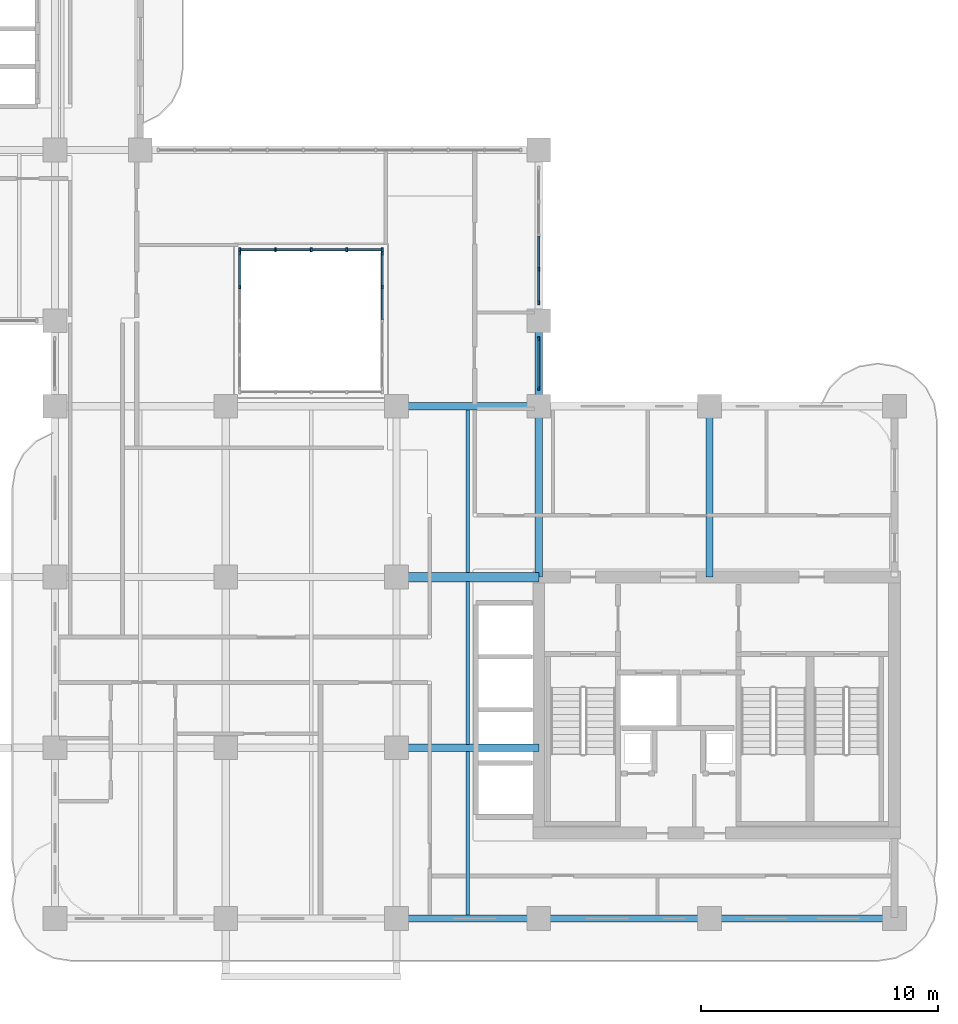
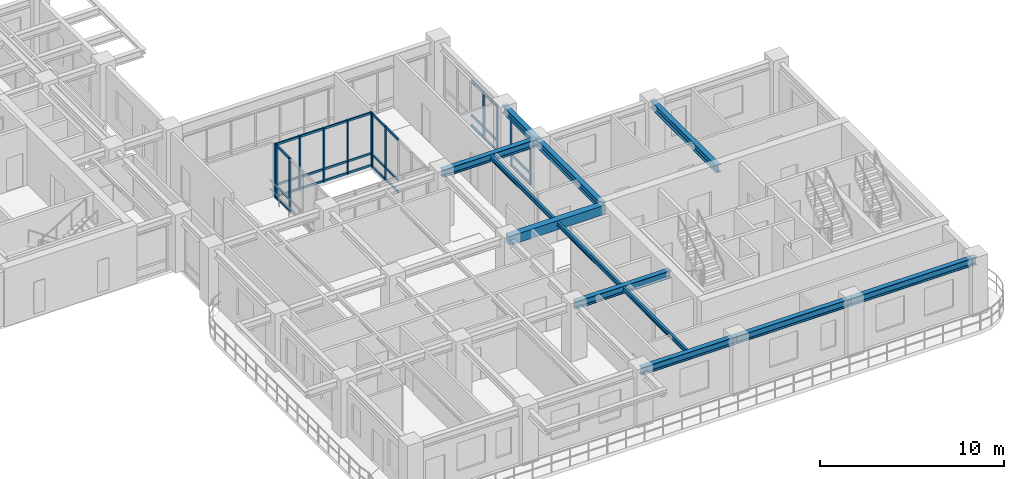
# One storey, part 3 of 19: 43 members, 12 beams, 5 elements without a shape of their own.
"""IFC4 building model written with IfcOpenShell, lengths in metres."""

import ifcopenshell
import ifcopenshell.guid

model = None  # the IFC model being written
_history = None  # IfcOwnerHistory: only IFC2X3 demands one
_inside = {}  # id of a spatial element -> (the spatial element, [elements in it])
_under = {}  # id of a project, library or spatial element -> (it, [spatial elements below it])
_declared = {}  # id of a project -> (the project, [libraries it declares])
_typed = {}  # id of a type object -> (the type object, [elements of that type])
_made_of = {}  # id of a material, layer set ... -> (it, [elements and type objects made of it])


def new_model(schema):
    """Start an empty IFC model of exactly this schema.

    Asked for "IFC4X3", IfcOpenShell would pick the latest addendum, in which some entities
    have other attributes; the version numbers below select the first issue.
    IFC2X3 requires an IfcOwnerHistory on every rooted entity: one is made here for all.
    """
    global model, _history
    if schema == "IFC4X3":
        model = ifcopenshell.file(schema_version=(4, 3, 0, 0))
    else:
        model = ifcopenshell.file(schema=schema)
    _inside.clear()
    _under.clear()
    _declared.clear()
    _typed.clear()
    _made_of.clear()
    _history = None
    if model.schema == "IFC2X3":
        org = make("IfcOrganization", Name="unknown")
        user = make(
            "IfcPersonAndOrganization",
            ThePerson=make("IfcPerson", FamilyName="unknown"),
            TheOrganization=org,
        )
        app = make(
            "IfcApplication",
            ApplicationDeveloper=org,
            Version="unknown",
            ApplicationFullName="unknown",
            ApplicationIdentifier="unknown",
        )
        _history = make(
            "IfcOwnerHistory",
            OwningUser=user,
            OwningApplication=app,
            ChangeAction="ADDED",
            CreationDate=0,
        )
    return model


def make(cls, **values):
    """One entity of the class cls with the attributes given. An attribute that is None is left unset."""
    return model.create_entity(
        cls, **{name: value for name, value in values.items() if value is not None}
    )


def rooted(cls, **values):
    """An entity with a GlobalId (a new one), such as an element, a storey or a relation."""
    return make(cls, GlobalId=ifcopenshell.guid.new(), OwnerHistory=_history, **values)


def si_unit(unit_type, name, prefix=None):
    """IfcSIUnit, for example si_unit("LENGTHUNIT", "METRE", prefix="MILLI")."""
    return make("IfcSIUnit", UnitType=unit_type, Prefix=prefix, Name=name)


def derived_unit(unit_type, elements):
    """IfcDerivedUnit: a product of units, each with its exponent."""
    return make(
        "IfcDerivedUnit",
        Elements=[
            make("IfcDerivedUnitElement", Unit=unit, Exponent=power)
            for unit, power in elements
        ],
        UnitType=unit_type,
    )


def assignment(units):
    """IfcUnitAssignment: the units of a project."""
    return None if units is None else make("IfcUnitAssignment", Units=units)


def point(xyz):
    """IfcCartesianPoint."""
    return None if xyz is None else make("IfcCartesianPoint", Coordinates=xyz)


def direction(xyz):
    """IfcDirection."""
    return None if xyz is None else make("IfcDirection", DirectionRatios=xyz)


def frame(location, z_axis=None, x_axis=None):
    """IfcAxis2Placement3D, a coordinate frame: its origin and axes. An axis left out is left unset."""
    return make(
        "IfcAxis2Placement3D",
        Location=point(location),
        Axis=direction(z_axis),
        RefDirection=direction(x_axis),
    )


def frame_2d(location, x_axis=None):
    """IfcAxis2Placement2D, a coordinate frame in the plane: its origin and x axis."""
    return make(
        "IfcAxis2Placement2D", Location=point(location), RefDirection=direction(x_axis)
    )


def origin():
    """The frame at (0, 0, 0) with its axes left unset."""
    return frame((0.0, 0.0, 0.0))


def origin_2d():
    """The frame at (0, 0) in the plane with its x axis left unset."""
    return frame_2d((0.0, 0.0))


def place(relative_to, where):
    """IfcLocalPlacement: puts the frame where relative to a parent placement (None: the world)."""
    return make(
        "IfcLocalPlacement", PlacementRelTo=relative_to, RelativePlacement=where
    )


def context(
    kind, dimensions, precision=None, world=None, true_north=None, identifier=None
):
    """IfcGeometricRepresentationContext, for example the 3D "Model" context."""
    return make(
        "IfcGeometricRepresentationContext",
        ContextIdentifier=identifier,
        ContextType=kind,
        CoordinateSpaceDimension=dimensions,
        Precision=precision,
        WorldCoordinateSystem=world,
        TrueNorth=true_north,
    )


def subcontext(parent, identifier, kind, view, scale=None):
    """IfcGeometricRepresentationSubContext, for example "Body" below "Model"."""
    return make(
        "IfcGeometricRepresentationSubContext",
        ContextIdentifier=identifier,
        ContextType=kind,
        ParentContext=parent,
        TargetScale=scale,
        TargetView=view,
    )


def project(units=None, contexts=None):
    """IfcProject with its units and contexts."""
    return rooted(
        "IfcProject",
        Name="project",
        RepresentationContexts=contexts,
        UnitsInContext=assignment(units),
    )


def spatial(cls, under=None, at=None, **own):
    """A site, building, storey or space (cls), placed at a placement, below another one or the project."""
    s = rooted(cls, ObjectPlacement=at, **own)
    if under is not None:
        _under.setdefault(under.id(), (under, []))[1].append(s)
    return s


def profile(cls, at=None, kind="AREA", **sizes):
    """A parametric profile (cls). Its sizes go by their IFC names, for example OverallWidth=200.0."""
    return make(cls, ProfileType=kind, Position=at, **sizes)


def rectangle(**sizes):
    """IfcRectangleProfileDef."""
    return profile("IfcRectangleProfileDef", **sizes)


def i_section(**sizes):
    """IfcIShapeProfileDef."""
    return profile("IfcIShapeProfileDef", **sizes)


def extrude(swept, where, along, depth):
    """IfcExtrudedAreaSolid: the profile swept, set in the frame where, extruded along a direction by depth."""
    return make(
        "IfcExtrudedAreaSolid",
        SweptArea=swept,
        Position=where,
        ExtrudedDirection=direction(along),
        Depth=depth,
    )


def shape(context_of_items, identifier, shape_type, items):
    """IfcShapeRepresentation: the items that make up one representation, for example the "Body"."""
    return make(
        "IfcShapeRepresentation",
        ContextOfItems=context_of_items,
        RepresentationIdentifier=identifier,
        RepresentationType=shape_type,
        Items=items,
    )


def source(mapping_origin, context_of_items, identifier, shape_type, items):
    """IfcRepresentationMap: a shape defined once, which mapped items show again and again."""
    return make(
        "IfcRepresentationMap",
        MappingOrigin=mapping_origin,
        MappedRepresentation=shape(context_of_items, identifier, shape_type, items),
    )


def transform(
    local_origin,
    x_axis=None,
    y_axis=None,
    z_axis=None,
    scale=None,
    scale2=None,
    scale3=None,
    uniform=True,
):
    """IfcCartesianTransformationOperator3D, or its non-uniform kind. x_axis, y_axis, z_axis: its Axis1, 2, 3."""
    if uniform:
        return make(
            "IfcCartesianTransformationOperator3D",
            Axis1=direction(x_axis),
            Axis2=direction(y_axis),
            LocalOrigin=point(local_origin),
            Scale=scale,
            Axis3=direction(z_axis),
        )
    return make(
        "IfcCartesianTransformationOperator3DnonUniform",
        Axis1=direction(x_axis),
        Axis2=direction(y_axis),
        LocalOrigin=point(local_origin),
        Scale=scale,
        Axis3=direction(z_axis),
        Scale2=scale2,
        Scale3=scale3,
    )


def mapped(mapping_source, mapping_target):
    """IfcMappedItem: shows the shape of a source again, moved by a transform."""
    return make(
        "IfcMappedItem", MappingSource=mapping_source, MappingTarget=mapping_target
    )


def material(Name=None, Category=None):
    """IfcMaterial."""
    return make("IfcMaterial", Name=Name, Category=Category)


def layer(
    of_material, thickness, ventilated=None, Name=None, Category=None, Priority=None
):
    """IfcMaterialLayer: one layer of a wall or slab, of a material (None: an air gap)."""
    return make(
        "IfcMaterialLayer",
        Material=of_material,
        LayerThickness=thickness,
        IsVentilated=ventilated,
        Name=Name,
        Category=Category,
        Priority=Priority,
    )


def layer_set(layers, Name=None):
    """IfcMaterialLayerSet."""
    return make("IfcMaterialLayerSet", MaterialLayers=layers, LayerSetName=Name)


def material_profile(
    of_material, cross_section, Name=None, Category=None, Priority=None
):
    """IfcMaterialProfile: a cross section and its material."""
    return make(
        "IfcMaterialProfile",
        Name=Name,
        Material=of_material,
        Profile=cross_section,
        Priority=Priority,
        Category=Category,
    )


def profile_set(profiles, Name=None, composite=None):
    """IfcMaterialProfileSet."""
    return make(
        "IfcMaterialProfileSet",
        Name=Name,
        MaterialProfiles=profiles,
        CompositeProfile=composite,
    )


def made_of(thing, what):
    """Note that an element or type object is made of a material, layer set ...; save() writes the relation."""
    if what is not None:
        _made_of.setdefault(what.id(), (what, []))[1].append(thing)
    return thing


def type_object(cls, material=None, **own):
    """A type object (cls), such as IfcWallType, which elements share."""
    return made_of(rooted(cls, **own), material)


def type_shapes(of_type, sources):
    """Give a type object the sources (RepresentationMaps) that its elements show as mapped items."""
    of_type.RepresentationMaps = sources


def element(
    cls,
    number,
    at=None,
    inside=None,
    cuts=None,
    type_object=None,
    material=None,
    context=None,
    identifier="Body",
    shape_type=None,
    held_by="IfcProductDefinitionShape",
    body=None,
    shapes=None,
    **own,
):
    """One element of the class cls, such as IfcWall. Its Tag is "e" and its number.

    at: its placement. inside: the storey or other place that contains it. cuts: it is an
    opening in that element (IfcRelVoidsElement). A single representation is given by context,
    identifier, shape_type and body (its items); several are given by shapes. held_by: the class
    of the entity that holds the representations. save() writes the other relations.
    """
    e = rooted(cls, Tag="e%d" % number, ObjectPlacement=at, **own)
    if body is not None:
        shapes = [shape(context, identifier, shape_type, body)]
    if shapes is not None:
        e.Representation = make(held_by, Representations=shapes)
    if inside is not None:
        _inside.setdefault(inside.id(), (inside, []))[1].append(e)
    if cuts is not None:
        rooted(
            "IfcRelVoidsElement", RelatingBuildingElement=cuts, RelatedOpeningElement=e
        )
    if type_object is not None:
        _typed.setdefault(type_object.id(), (type_object, []))[1].append(e)
    return made_of(e, material)


def aggregate(whole, parts):
    """IfcRelAggregates: a whole, such as a stair, and the parts it consists of."""
    return rooted("IfcRelAggregates", RelatingObject=whole, RelatedObjects=parts)


def save(model, path):
    """Write the relations noted so far, then the file.

    IfcRelAggregates (storeys below a building ...), IfcRelContainedInSpatialStructure (elements
    in a storey), IfcRelDefinesByType, IfcRelAssociatesMaterial and IfcRelDeclares: one each for
    every whole, place, type object, material and project.
    """
    for whole, parts in _under.values():
        aggregate(whole, parts)
    for where, things in _inside.values():
        rooted(
            "IfcRelContainedInSpatialStructure",
            RelatedElements=things,
            RelatingStructure=where,
        )
    for kind, things in _typed.values():
        rooted("IfcRelDefinesByType", RelatedObjects=things, RelatingType=kind)
    for what, things in _made_of.values():
        rooted("IfcRelAssociatesMaterial", RelatedObjects=things, RelatingMaterial=what)
    for by, libraries in _declared.values():
        rooted("IfcRelDeclares", RelatingContext=by, RelatedDefinitions=libraries)
    model.write(path)


model = new_model("IFC4")

# Units and contexts
model_context = context("Model", 3, precision=1e-05, world=origin(), true_north=direction((0.0, 1.0)))
body_context = subcontext(model_context, "Body", "Model", "MODEL_VIEW")
ifc_project = project(units=[si_unit("LENGTHUNIT", "METRE"), si_unit("AREAUNIT", "SQUARE_METRE"), si_unit("VOLUMEUNIT", "CUBIC_METRE"), si_unit("PLANEANGLEUNIT", "RADIAN"), si_unit("MASSUNIT", "GRAM", prefix="KILO"), si_unit("THERMODYNAMICTEMPERATUREUNIT", "KELVIN"), si_unit("POWERUNIT", "WATT"), derived_unit("THERMALTRANSMITTANCEUNIT", [(si_unit("POWERUNIT", "WATT"), 1), (si_unit("AREAUNIT", "SQUARE_METRE"), -1), (si_unit("THERMODYNAMICTEMPERATUREUNIT", "KELVIN"), -1)])], contexts=[model_context])

# Site, building, storey
site_placement = place(None, origin())
site = spatial("IfcSite", under=ifc_project, at=site_placement, CompositionType="ELEMENT")
building_placement = place(site_placement, origin())
building = spatial("IfcBuilding", under=site, at=building_placement, Name="Zahravan Archway Hotel and Residences", CompositionType="ELEMENT")
storey_placement = place(building_placement, frame((0.0, 0.0, 150.300048828125)))
storey = spatial("IfcBuildingStorey", under=building, at=storey_placement, Name="L37", CompositionType="ELEMENT", Elevation=150.300048828125)

# Beams
ifc_material_1 = material(Name="Concrete C60/75", Category="concrete")
ifc_material_profile_1 = material_profile(ifc_material_1, rectangle(XDim=0.39990234375, YDim=0.60009765625, at=origin_2d()), Name="RC-LNT-400x600", Category="concrete")
ifc_profile_set_1 = profile_set([ifc_material_profile_1], Name="Concrete C60/75")
beam_type_1 = type_object("IfcBeamType", Name="LNT-RC-400x600", PredefinedType="LINTEL", material=ifc_profile_set_1)
shared_shape_1 = source(origin(), body_context, "Body", "SweptSolid", [
    extrude(rectangle(XDim=0.39990234375, YDim=0.60009765625, at=origin_2d()), origin(), (0.0, 0.0, 1.0), 6.0),
])
type_shapes(beam_type_1, [shared_shape_1])
beam_1_placement = place(storey_placement, frame((28.800048828125, 14.39990234375, 3.300048828125), z_axis=(1.0, 0.0, 0.0), x_axis=(0.0, 1.0, 0.0)))
element("IfcBeam", 1, at=beam_1_placement, inside=storey, type_object=beam_type_1, Name="L37 Core A Coupling Lintel Beam", PredefinedType="LINTEL", context=body_context, shape_type="MappedRepresentation", body=[
    mapped(shared_shape_1, transform((0.0, 0.0, 0.0), scale=1.0)),
])
ifc_material_2 = material(Name="Structural Steel S355JR", Category="steel")
ifc_material_profile_2 = material_profile(ifc_material_2, i_section(OverallWidth=0.300048828125, OverallDepth=0.5, WebThickness=0.014404296875, FlangeThickness=0.028076171875, FilletRadius=0.027099609375, at=origin_2d()), Name="HEB 500", Category="steel")
ifc_profile_set_2 = profile_set([ifc_material_profile_2], Name="Structural Steel S355JR")
beam_type_2 = type_object("IfcBeamType", Name="BM-PRI-HEB500", PredefinedType="BEAM", material=ifc_profile_set_2)
shared_shape_2 = source(origin(), body_context, "Body", "SweptSolid", [
    extrude(i_section(OverallWidth=0.300048828125, OverallDepth=0.5, WebThickness=0.014404296875, FlangeThickness=0.028076171875, FilletRadius=0.027099609375, at=origin_2d()), origin(), (0.0, 0.0, 1.0), 7.2001953125),
])
type_shapes(beam_type_2, [shared_shape_2])
for number, where, z_axis, x_axis, name in (
    (2, (34.800048828125, 14.39990234375, 3.349853515625), (0.0, 1.0, 0.0), (-1.0, 0.0, 0.0), "L37 Primary Girder NS-41"),
    (3, (42.0, 14.39990234375, 3.349853515625), (0.0, 1.0, 0.0), (-1.0, 0.0, 0.0), "L37 Primary Girder NS-44"),
):
    element("IfcBeam", number, at=place(storey_placement, frame(where, z_axis=z_axis, x_axis=x_axis)), inside=storey, type_object=beam_type_2, Name=name, PredefinedType="BEAM", context=body_context, shape_type="MappedRepresentation", body=[
        mapped(shared_shape_2, transform((0.0, 0.0, 0.0), scale=1.0)),
    ])
shared_shape_3 = source(origin(), body_context, "Body", "SweptSolid", [
    extrude(i_section(OverallWidth=0.300048828125, OverallDepth=0.5, WebThickness=0.014404296875, FlangeThickness=0.028076171875, FilletRadius=0.027099609375, at=origin_2d()), origin(), (0.0, 0.0, 1.0), 7.199951171875),
])
beam_2_placement = place(storey_placement, frame((34.800048828125, 0.0, 3.349853515625), z_axis=(1.0, 0.0, 0.0), x_axis=(0.0, 1.0, 0.0)))
element("IfcBeam", 4, at=beam_2_placement, inside=storey, type_object=beam_type_2, Name="L37 Primary Girder EW-04", PredefinedType="BEAM", context=body_context, shape_type="MappedRepresentation", body=[
    mapped(shared_shape_3, transform((0.0, 0.0, 0.0), scale=1.0)),
])
shared_shape_4 = source(origin(), body_context, "Body", "SweptSolid", [
    extrude(i_section(OverallWidth=0.300048828125, OverallDepth=0.5, WebThickness=0.014404296875, FlangeThickness=0.028076171875, FilletRadius=0.027099609375, at=origin_2d()), origin(), (0.0, 0.0, 1.0), 6.0),
])
for number, where, z_axis, x_axis, name in (
    (5, (28.800048828125, 0.0, 3.349853515625), (1.0, 0.0, 0.0), (0.0, 1.0, 0.0), "L37 Primary Girder EW-03"),
    (6, (28.800048828125, 7.199951171875, 3.349853515625), (1.0, 0.0, 0.0), (0.0, 1.0, 0.0), "L37 Primary Girder EW-08"),
    (7, (28.800048828125, 21.60009765625, 3.349853515625), (1.0, 0.0, 0.0), (0.0, 1.0, 0.0), "L37 Primary Girder EW-13"),
):
    element("IfcBeam", number, at=place(storey_placement, frame(where, z_axis=z_axis, x_axis=x_axis)), inside=storey, type_object=beam_type_2, Name=name, PredefinedType="BEAM", context=body_context, shape_type="MappedRepresentation", body=[
        mapped(shared_shape_4, transform((0.0, 0.0, 0.0), scale=1.0)),
    ])
shared_shape_5 = source(origin(), body_context, "Body", "SweptSolid", [
    extrude(i_section(OverallWidth=0.300048828125, OverallDepth=0.5, WebThickness=0.014404296875, FlangeThickness=0.028076171875, FilletRadius=0.027099609375, at=origin_2d()), origin(), (0.0, 0.0, 1.0), 7.800048828125),
])
beam_3_placement = place(storey_placement, frame((42.0, 0.0, 3.349853515625), z_axis=(1.0, 0.0, 0.0), x_axis=(0.0, 1.0, 0.0)))
element("IfcBeam", 8, at=beam_3_placement, inside=storey, type_object=beam_type_2, Name="L37 Primary Girder EW-05", PredefinedType="BEAM", context=body_context, shape_type="MappedRepresentation", body=[
    mapped(shared_shape_5, transform((0.0, 0.0, 0.0), scale=1.0)),
])
shared_shape_6 = source(origin(), body_context, "Body", "SweptSolid", [
    extrude(i_section(OverallWidth=0.300048828125, OverallDepth=0.5, WebThickness=0.014404296875, FlangeThickness=0.028076171875, FilletRadius=0.027099609375, at=origin_2d()), origin(), (0.0, 0.0, 1.0), 3.599853515625),
])
beam_4_placement = place(storey_placement, frame((34.800048828125, 21.60009765625, 3.349853515625), z_axis=(0.0, 1.0, 0.0), x_axis=(-1.0, 0.0, 0.0)))
element("IfcBeam", 9, at=beam_4_placement, inside=storey, type_object=beam_type_2, Name="L37 Primary Girder NS-42", PredefinedType="BEAM", context=body_context, shape_type="MappedRepresentation", body=[
    mapped(shared_shape_6, transform((0.0, 0.0, 0.0), scale=1.0)),
])
ifc_material_profile_3 = material_profile(ifc_material_2, i_section(OverallWidth=0.14990234375, OverallDepth=0.300048828125, WebThickness=0.007080078125, FlangeThickness=0.0107421875, FilletRadius=0.014892578125, at=origin_2d()), Name="IPE 300", Category="steel")
ifc_profile_set_3 = profile_set([ifc_material_profile_3], Name="Structural Steel S355JR")
beam_type_3 = type_object("IfcBeamType", Name="BM-JST-IPE300", PredefinedType="JOIST", material=ifc_profile_set_3)
shared_shape_7 = source(origin(), body_context, "Body", "SweptSolid", [
    extrude(i_section(OverallWidth=0.14990234375, OverallDepth=0.300048828125, WebThickness=0.007080078125, FlangeThickness=0.0107421875, FilletRadius=0.014892578125, at=origin_2d()), origin(), (0.0, 0.0, 1.0), 6.904052734375),
])
type_shapes(beam_type_3, [shared_shape_7])
beam_5_placement = place(storey_placement, frame((31.800048828125, 0.14794921875, 3.449951171875), z_axis=(0.0, 1.0, 0.0), x_axis=(-1.0, 0.0, 0.0)))
element("IfcBeam", 10, at=beam_5_placement, inside=storey, type_object=beam_type_3, Name="L37 Composite Floor Joist 03", PredefinedType="JOIST", context=body_context, shape_type="MappedRepresentation", body=[
    mapped(shared_shape_7, transform((0.0, 0.0, 0.0), scale=1.0)),
])
shared_shape_8 = source(origin(), body_context, "Body", "SweptSolid", [
    extrude(i_section(OverallWidth=0.14990234375, OverallDepth=0.300048828125, WebThickness=0.007080078125, FlangeThickness=0.0107421875, FilletRadius=0.014892578125, at=origin_2d()), origin(), (0.0, 0.0, 1.0), 6.85400390625),
])
for number, where, z_axis, x_axis, name in (
    (11, (31.800048828125, 7.347900390625, 3.449951171875), (0.0, 1.0, 0.0), (-1.0, 0.0, 0.0), "L37 Composite Floor Joist 06"),
    (12, (31.800048828125, 14.597900390625, 3.449951171875), (0.0, 1.0, 0.0), (-1.0, 0.0, 0.0), "L37 Composite Floor Joist 07"),
):
    element("IfcBeam", number, at=place(storey_placement, frame(where, z_axis=z_axis, x_axis=x_axis)), inside=storey, type_object=beam_type_3, Name=name, PredefinedType="JOIST", context=body_context, shape_type="MappedRepresentation", body=[
        mapped(shared_shape_8, transform((0.0, 0.0, 0.0), scale=1.0)),
    ])

# Curtain wall, members
ifc_material_3 = material(Name="Bronze-Anodized Unitised Aluminium & Low-E Glass", Category="aluminium")
ifc_layer = layer(ifc_material_3, 0.179931640625, Name="Bronze-Anodized Unitised Aluminium & Low-E Glass", Category="aluminium")
ifc_layer_set = layer_set([ifc_layer], Name="Bronze-Anodized Unitised Aluminium & Low-E Glass")
curtain_wall_type = type_object("IfcCurtainWallType", Name="CW-ATR-GLAZ", PredefinedType="NOTDEFINED", material=ifc_layer_set)
curtain_wall_1_placement = place(storey_placement, origin())
curtain_wall_1 = element("IfcCurtainWall", 13, at=curtain_wall_1_placement, inside=storey, type_object=curtain_wall_type, Name="L37 Curtain Wall CW-L37-HNG-E-2", PredefinedType="NOTDEFINED")
ifc_material_4 = material(Name="Bronze-Anodized Extruded Aluminium", Category="aluminium")
ifc_material_profile_4 = material_profile(ifc_material_4, rectangle(XDim=0.080078125, YDim=0.139892578125, at=origin_2d()), Name="TRN 80x140", Category="aluminium")
ifc_profile_set_4 = profile_set([ifc_material_profile_4], Name="Bronze-Anodized Extruded Aluminium")
member_type_1 = type_object("IfcMemberType", Name="CWM-TRN-140", PredefinedType="USERDEFINED", material=ifc_profile_set_4)
shared_shape_9 = source(origin(), body_context, "Body", "SweptSolid", [
    extrude(rectangle(XDim=0.080078125, YDim=0.139892578125, at=origin_2d()), origin(), (0.0, 0.0, 1.0), 1.340087890625),
])
member_1_placement = place(storey_placement, frame((34.800048828125, 26.0, 0.070068359375), z_axis=(0.0, 1.0, 0.0), x_axis=(-1.0, 0.0, 0.0)))
member_1 = element("IfcMember", 14, at=member_1_placement, type_object=member_type_1, Name="CW-L37-HNG-E-2 Transom 0-1", ObjectType="TRANSOM", PredefinedType="USERDEFINED", context=body_context, shape_type="MappedRepresentation", body=[
    mapped(shared_shape_9, transform((0.0, 0.0, 0.0), scale=1.0)),
])
member_2_placement = place(storey_placement, frame((34.800048828125, 26.0, 0.740234375), z_axis=(0.0, 1.0, 0.0), x_axis=(-1.0, 0.0, 0.0)))
member_2 = element("IfcMember", 15, at=member_2_placement, type_object=member_type_1, Name="CW-L37-HNG-E-2 Transom 0-2", ObjectType="TRANSOM", PredefinedType="USERDEFINED", context=body_context, shape_type="MappedRepresentation", body=[
    mapped(shared_shape_9, transform((0.0, 0.0, 0.0), scale=1.0)),
])
member_3_placement = place(storey_placement, frame((34.800048828125, 26.0, 3.014892578125), z_axis=(0.0, 1.0, 0.0), x_axis=(-1.0, 0.0, 0.0)))
member_3 = element("IfcMember", 16, at=member_3_placement, type_object=member_type_1, Name="CW-L37-HNG-E-2 Transom 0-3", ObjectType="TRANSOM", PredefinedType="USERDEFINED", context=body_context, shape_type="MappedRepresentation", body=[
    mapped(shared_shape_9, transform((0.0, 0.0, 0.0), scale=1.0)),
])
member_4_placement = place(storey_placement, frame((34.800048828125, 27.419921875, 0.070068359375), z_axis=(0.0, 1.0, 0.0), x_axis=(-1.0, 0.0, 0.0)))
member_4 = element("IfcMember", 17, at=member_4_placement, type_object=member_type_1, Name="CW-L37-HNG-E-2 Transom 1-1", ObjectType="TRANSOM", PredefinedType="USERDEFINED", context=body_context, shape_type="MappedRepresentation", body=[
    mapped(shared_shape_9, transform((0.0, 0.0, 0.0), scale=1.0)),
])
member_5_placement = place(storey_placement, frame((34.800048828125, 27.419921875, 0.740234375), z_axis=(0.0, 1.0, 0.0), x_axis=(-1.0, 0.0, 0.0)))
member_5 = element("IfcMember", 18, at=member_5_placement, type_object=member_type_1, Name="CW-L37-HNG-E-2 Transom 1-2", ObjectType="TRANSOM", PredefinedType="USERDEFINED", context=body_context, shape_type="MappedRepresentation", body=[
    mapped(shared_shape_9, transform((0.0, 0.0, 0.0), scale=1.0)),
])
member_6_placement = place(storey_placement, frame((34.800048828125, 27.419921875, 3.014892578125), z_axis=(0.0, 1.0, 0.0), x_axis=(-1.0, 0.0, 0.0)))
member_6 = element("IfcMember", 19, at=member_6_placement, type_object=member_type_1, Name="CW-L37-HNG-E-2 Transom 1-3", ObjectType="TRANSOM", PredefinedType="USERDEFINED", context=body_context, shape_type="MappedRepresentation", body=[
    mapped(shared_shape_9, transform((0.0, 0.0, 0.0), scale=1.0)),
])

curtain_wall_2_placement = place(storey_placement, origin())
curtain_wall_2 = element("IfcCurtainWall", 20, at=curtain_wall_2_placement, inside=storey, type_object=curtain_wall_type, Name="L37 Curtain Wall CW-L37-HNG-E-1", PredefinedType="NOTDEFINED")
shared_shape_10 = source(origin(), body_context, "Body", "SweptSolid", [
    extrude(rectangle(XDim=0.080078125, YDim=0.139892578125, at=origin_2d()), origin(), (0.0, 0.0, 1.0), 2.0),
])
member_7_placement = place(storey_placement, frame((34.800048828125, 22.39990234375, 0.070068359375), z_axis=(0.0, 1.0, 0.0), x_axis=(-1.0, 0.0, 0.0)))
member_7 = element("IfcMember", 21, at=member_7_placement, type_object=member_type_1, Name="CW-L37-HNG-E-1 Transom 0-1", ObjectType="TRANSOM", PredefinedType="USERDEFINED", context=body_context, shape_type="MappedRepresentation", body=[
    mapped(shared_shape_10, transform((0.0, 0.0, 0.0), scale=1.0)),
])
member_8_placement = place(storey_placement, frame((34.800048828125, 22.39990234375, 0.740234375), z_axis=(0.0, 1.0, 0.0), x_axis=(-1.0, 0.0, 0.0)))
member_8 = element("IfcMember", 22, at=member_8_placement, type_object=member_type_1, Name="CW-L37-HNG-E-1 Transom 0-2", ObjectType="TRANSOM", PredefinedType="USERDEFINED", context=body_context, shape_type="MappedRepresentation", body=[
    mapped(shared_shape_10, transform((0.0, 0.0, 0.0), scale=1.0)),
])
member_9_placement = place(storey_placement, frame((34.800048828125, 22.39990234375, 3.014892578125), z_axis=(0.0, 1.0, 0.0), x_axis=(-1.0, 0.0, 0.0)))
member_9 = element("IfcMember", 23, at=member_9_placement, type_object=member_type_1, Name="CW-L37-HNG-E-1 Transom 0-3", ObjectType="TRANSOM", PredefinedType="USERDEFINED", context=body_context, shape_type="MappedRepresentation", body=[
    mapped(shared_shape_10, transform((0.0, 0.0, 0.0), scale=1.0)),
])

curtain_wall_3_placement = place(storey_placement, origin())
curtain_wall_3 = element("IfcCurtainWall", 24, at=curtain_wall_3_placement, inside=storey, type_object=curtain_wall_type, Name="L37 Curtain Wall CW-ATR-L37-N-1", PredefinedType="NOTDEFINED")
shared_shape_11 = source(origin(), body_context, "Body", "SweptSolid", [
    extrude(rectangle(XDim=0.080078125, YDim=0.139892578125, at=origin_2d()), origin(), (0.0, 0.0, 1.0), 1.419921875),
])
member_10_placement = place(storey_placement, frame((22.239990234375, 28.199951171875, 0.070068359375), z_axis=(1.0, 0.0, 0.0), x_axis=(0.0, 1.0, 0.0)))
member_10 = element("IfcMember", 25, at=member_10_placement, type_object=member_type_1, Name="CW-ATR-L37-N-1 Transom 0-1", ObjectType="TRANSOM", PredefinedType="USERDEFINED", context=body_context, shape_type="MappedRepresentation", body=[
    mapped(shared_shape_11, transform((0.0, 0.0, 0.0), scale=1.0)),
])
member_11_placement = place(storey_placement, frame((22.239990234375, 28.199951171875, 0.849853515625), z_axis=(1.0, 0.0, 0.0), x_axis=(0.0, 1.0, 0.0)))
member_11 = element("IfcMember", 26, at=member_11_placement, type_object=member_type_1, Name="CW-ATR-L37-N-1 Transom 0-2", ObjectType="TRANSOM", PredefinedType="USERDEFINED", context=body_context, shape_type="MappedRepresentation", body=[
    mapped(shared_shape_11, transform((0.0, 0.0, 0.0), scale=1.0)),
])
member_12_placement = place(storey_placement, frame((22.239990234375, 28.199951171875, 3.530029296875), z_axis=(1.0, 0.0, 0.0), x_axis=(0.0, 1.0, 0.0)))
member_12 = element("IfcMember", 27, at=member_12_placement, type_object=member_type_1, Name="CW-ATR-L37-N-1 Transom 0-3", ObjectType="TRANSOM", PredefinedType="USERDEFINED", context=body_context, shape_type="MappedRepresentation", body=[
    mapped(shared_shape_11, transform((0.0, 0.0, 0.0), scale=1.0)),
])
member_13_placement = place(storey_placement, frame((23.739990234375, 28.199951171875, 0.070068359375), z_axis=(1.0, 0.0, 0.0), x_axis=(0.0, 1.0, 0.0)))
member_13 = element("IfcMember", 28, at=member_13_placement, type_object=member_type_1, Name="CW-ATR-L37-N-1 Transom 1-1", ObjectType="TRANSOM", PredefinedType="USERDEFINED", context=body_context, shape_type="MappedRepresentation", body=[
    mapped(shared_shape_11, transform((0.0, 0.0, 0.0), scale=1.0)),
])
member_14_placement = place(storey_placement, frame((23.739990234375, 28.199951171875, 0.849853515625), z_axis=(1.0, 0.0, 0.0), x_axis=(0.0, 1.0, 0.0)))
member_14 = element("IfcMember", 29, at=member_14_placement, type_object=member_type_1, Name="CW-ATR-L37-N-1 Transom 1-2", ObjectType="TRANSOM", PredefinedType="USERDEFINED", context=body_context, shape_type="MappedRepresentation", body=[
    mapped(shared_shape_11, transform((0.0, 0.0, 0.0), scale=1.0)),
])
member_15_placement = place(storey_placement, frame((23.739990234375, 28.199951171875, 3.530029296875), z_axis=(1.0, 0.0, 0.0), x_axis=(0.0, 1.0, 0.0)))
member_15 = element("IfcMember", 30, at=member_15_placement, type_object=member_type_1, Name="CW-ATR-L37-N-1 Transom 1-3", ObjectType="TRANSOM", PredefinedType="USERDEFINED", context=body_context, shape_type="MappedRepresentation", body=[
    mapped(shared_shape_11, transform((0.0, 0.0, 0.0), scale=1.0)),
])
member_16_placement = place(storey_placement, frame((25.239990234375, 28.199951171875, 0.070068359375), z_axis=(1.0, 0.0, 0.0), x_axis=(0.0, 1.0, 0.0)))
member_16 = element("IfcMember", 31, at=member_16_placement, type_object=member_type_1, Name="CW-ATR-L37-N-1 Transom 2-1", ObjectType="TRANSOM", PredefinedType="USERDEFINED", context=body_context, shape_type="MappedRepresentation", body=[
    mapped(shared_shape_11, transform((0.0, 0.0, 0.0), scale=1.0)),
])
member_17_placement = place(storey_placement, frame((25.239990234375, 28.199951171875, 0.849853515625), z_axis=(1.0, 0.0, 0.0), x_axis=(0.0, 1.0, 0.0)))
member_17 = element("IfcMember", 32, at=member_17_placement, type_object=member_type_1, Name="CW-ATR-L37-N-1 Transom 2-2", ObjectType="TRANSOM", PredefinedType="USERDEFINED", context=body_context, shape_type="MappedRepresentation", body=[
    mapped(shared_shape_11, transform((0.0, 0.0, 0.0), scale=1.0)),
])
member_18_placement = place(storey_placement, frame((25.239990234375, 28.199951171875, 3.530029296875), z_axis=(1.0, 0.0, 0.0), x_axis=(0.0, 1.0, 0.0)))
member_18 = element("IfcMember", 33, at=member_18_placement, type_object=member_type_1, Name="CW-ATR-L37-N-1 Transom 2-3", ObjectType="TRANSOM", PredefinedType="USERDEFINED", context=body_context, shape_type="MappedRepresentation", body=[
    mapped(shared_shape_11, transform((0.0, 0.0, 0.0), scale=1.0)),
])
member_19_placement = place(storey_placement, frame((26.739990234375, 28.199951171875, 0.070068359375), z_axis=(1.0, 0.0, 0.0), x_axis=(0.0, 1.0, 0.0)))
member_19 = element("IfcMember", 34, at=member_19_placement, type_object=member_type_1, Name="CW-ATR-L37-N-1 Transom 3-1", ObjectType="TRANSOM", PredefinedType="USERDEFINED", context=body_context, shape_type="MappedRepresentation", body=[
    mapped(shared_shape_11, transform((0.0, 0.0, 0.0), scale=1.0)),
])
member_20_placement = place(storey_placement, frame((26.739990234375, 28.199951171875, 0.849853515625), z_axis=(1.0, 0.0, 0.0), x_axis=(0.0, 1.0, 0.0)))
member_20 = element("IfcMember", 35, at=member_20_placement, type_object=member_type_1, Name="CW-ATR-L37-N-1 Transom 3-2", ObjectType="TRANSOM", PredefinedType="USERDEFINED", context=body_context, shape_type="MappedRepresentation", body=[
    mapped(shared_shape_11, transform((0.0, 0.0, 0.0), scale=1.0)),
])
member_21_placement = place(storey_placement, frame((26.739990234375, 28.199951171875, 3.530029296875), z_axis=(1.0, 0.0, 0.0), x_axis=(0.0, 1.0, 0.0)))
member_21 = element("IfcMember", 36, at=member_21_placement, type_object=member_type_1, Name="CW-ATR-L37-N-1 Transom 3-3", ObjectType="TRANSOM", PredefinedType="USERDEFINED", context=body_context, shape_type="MappedRepresentation", body=[
    mapped(shared_shape_11, transform((0.0, 0.0, 0.0), scale=1.0)),
])

curtain_wall_4_placement = place(storey_placement, origin())
curtain_wall_4 = element("IfcCurtainWall", 37, at=curtain_wall_4_placement, inside=storey, type_object=curtain_wall_type, Name="L37 Curtain Wall CW-ATR-L37-W-1", PredefinedType="NOTDEFINED")
shared_shape_12 = source(origin(), body_context, "Body", "SweptSolid", [
    extrude(rectangle(XDim=0.080078125, YDim=0.139892578125, at=origin_2d()), origin(), (0.0, 0.0, 1.0), 1.344970703125),
])
member_22_placement = place(storey_placement, frame((22.199951171875, 26.6650390625, 0.070068359375), z_axis=(0.0, 1.0, 0.0), x_axis=(-1.0, 0.0, 0.0)))
member_22 = element("IfcMember", 38, at=member_22_placement, type_object=member_type_1, Name="CW-ATR-L37-W-1 Transom 3-1", ObjectType="TRANSOM", PredefinedType="USERDEFINED", context=body_context, shape_type="MappedRepresentation", body=[
    mapped(shared_shape_12, transform((0.0, 0.0, 0.0), scale=1.0)),
])
member_23_placement = place(storey_placement, frame((22.199951171875, 26.6650390625, 0.849853515625), z_axis=(0.0, 1.0, 0.0), x_axis=(-1.0, 0.0, 0.0)))
member_23 = element("IfcMember", 39, at=member_23_placement, type_object=member_type_1, Name="CW-ATR-L37-W-1 Transom 3-2", ObjectType="TRANSOM", PredefinedType="USERDEFINED", context=body_context, shape_type="MappedRepresentation", body=[
    mapped(shared_shape_12, transform((0.0, 0.0, 0.0), scale=1.0)),
])
member_24_placement = place(storey_placement, frame((22.199951171875, 26.6650390625, 3.530029296875), z_axis=(0.0, 1.0, 0.0), x_axis=(-1.0, 0.0, 0.0)))
member_24 = element("IfcMember", 40, at=member_24_placement, type_object=member_type_1, Name="CW-ATR-L37-W-1 Transom 3-3", ObjectType="TRANSOM", PredefinedType="USERDEFINED", context=body_context, shape_type="MappedRepresentation", body=[
    mapped(shared_shape_12, transform((0.0, 0.0, 0.0), scale=1.0)),
])

curtain_wall_5_placement = place(storey_placement, origin())
curtain_wall_5 = element("IfcCurtainWall", 41, at=curtain_wall_5_placement, inside=storey, type_object=curtain_wall_type, Name="L37 Curtain Wall CW-ATR-L37-E-1", PredefinedType="NOTDEFINED")
member_25_placement = place(storey_placement, frame((28.199951171875, 25.239990234375, 0.070068359375), z_axis=(0.0, 1.0, 0.0), x_axis=(-1.0, 0.0, 0.0)))
member_25 = element("IfcMember", 42, at=member_25_placement, type_object=member_type_1, Name="CW-ATR-L37-E-1 Transom 2-1", ObjectType="TRANSOM", PredefinedType="USERDEFINED", context=body_context, shape_type="MappedRepresentation", body=[
    mapped(shared_shape_12, transform((0.0, 0.0, 0.0), scale=1.0)),
])
member_26_placement = place(storey_placement, frame((28.199951171875, 25.239990234375, 0.849853515625), z_axis=(0.0, 1.0, 0.0), x_axis=(-1.0, 0.0, 0.0)))
member_26 = element("IfcMember", 43, at=member_26_placement, type_object=member_type_1, Name="CW-ATR-L37-E-1 Transom 2-2", ObjectType="TRANSOM", PredefinedType="USERDEFINED", context=body_context, shape_type="MappedRepresentation", body=[
    mapped(shared_shape_12, transform((0.0, 0.0, 0.0), scale=1.0)),
])
member_27_placement = place(storey_placement, frame((28.199951171875, 25.239990234375, 3.530029296875), z_axis=(0.0, 1.0, 0.0), x_axis=(-1.0, 0.0, 0.0)))
member_27 = element("IfcMember", 44, at=member_27_placement, type_object=member_type_1, Name="CW-ATR-L37-E-1 Transom 2-3", ObjectType="TRANSOM", PredefinedType="USERDEFINED", context=body_context, shape_type="MappedRepresentation", body=[
    mapped(shared_shape_12, transform((0.0, 0.0, 0.0), scale=1.0)),
])
member_28_placement = place(storey_placement, frame((28.199951171875, 26.6650390625, 0.070068359375), z_axis=(0.0, 1.0, 0.0), x_axis=(-1.0, 0.0, 0.0)))
member_28 = element("IfcMember", 45, at=member_28_placement, type_object=member_type_1, Name="CW-ATR-L37-E-1 Transom 3-1", ObjectType="TRANSOM", PredefinedType="USERDEFINED", context=body_context, shape_type="MappedRepresentation", body=[
    mapped(shared_shape_12, transform((0.0, 0.0, 0.0), scale=1.0)),
])
member_29_placement = place(storey_placement, frame((28.199951171875, 26.6650390625, 0.849853515625), z_axis=(0.0, 1.0, 0.0), x_axis=(-1.0, 0.0, 0.0)))
member_29 = element("IfcMember", 46, at=member_29_placement, type_object=member_type_1, Name="CW-ATR-L37-E-1 Transom 3-2", ObjectType="TRANSOM", PredefinedType="USERDEFINED", context=body_context, shape_type="MappedRepresentation", body=[
    mapped(shared_shape_12, transform((0.0, 0.0, 0.0), scale=1.0)),
])
member_30_placement = place(storey_placement, frame((28.199951171875, 26.6650390625, 3.530029296875), z_axis=(0.0, 1.0, 0.0), x_axis=(-1.0, 0.0, 0.0)))
member_30 = element("IfcMember", 47, at=member_30_placement, type_object=member_type_1, Name="CW-ATR-L37-E-1 Transom 3-3", ObjectType="TRANSOM", PredefinedType="USERDEFINED", context=body_context, shape_type="MappedRepresentation", body=[
    mapped(shared_shape_12, transform((0.0, 0.0, 0.0), scale=1.0)),
])

# Member
ifc_material_profile_5 = material_profile(ifc_material_4, rectangle(XDim=0.080078125, YDim=0.159912109375, at=origin_2d()), Name="MUL 80x160", Category="aluminium")
ifc_profile_set_5 = profile_set([ifc_material_profile_5], Name="Bronze-Anodized Extruded Aluminium")
member_type_2 = type_object("IfcMemberType", Name="CWM-MUL-160", PredefinedType="MULLION", material=ifc_profile_set_5)
shared_shape_13 = source(origin(), body_context, "Body", "SweptSolid", [
    extrude(rectangle(XDim=0.080078125, YDim=0.159912109375, at=origin_2d()), origin(), (0.0, 0.0, 1.0), 3.0849609375),
])
member_31_placement = place(storey_placement, frame((34.800048828125, 22.360107421875, 0.0), z_axis=(0.0, 0.0, 1.0), x_axis=(1.0, 0.0, 0.0)))
member_31 = element("IfcMember", 48, at=member_31_placement, type_object=member_type_2, Name="CW-L37-HNG-E-1 Mullion 0", PredefinedType="MULLION", context=body_context, shape_type="MappedRepresentation", body=[
    mapped(shared_shape_13, transform((0.0, 0.0, 0.0), scale=1.0)),
])

member_32_placement = place(storey_placement, frame((34.800048828125, 24.43994140625, 0.0), z_axis=(0.0, 0.0, 1.0), x_axis=(1.0, 0.0, 0.0)))
member_32 = element("IfcMember", 49, at=member_32_placement, type_object=member_type_2, Name="CW-L37-HNG-E-1 Mullion 1", PredefinedType="MULLION", context=body_context, shape_type="MappedRepresentation", body=[
    mapped(shared_shape_13, transform((0.0, 0.0, 0.0), scale=1.0)),
])

aggregate(curtain_wall_2, [member_31, member_32, member_7, member_8, member_9])

member_33_placement = place(storey_placement, frame((34.800048828125, 25.9599609375, 0.0), z_axis=(0.0, 0.0, 1.0), x_axis=(1.0, 0.0, 0.0)))
member_33 = element("IfcMember", 50, at=member_33_placement, type_object=member_type_2, Name="CW-L37-HNG-E-2 Mullion 0", PredefinedType="MULLION", context=body_context, shape_type="MappedRepresentation", body=[
    mapped(shared_shape_13, transform((0.0, 0.0, 0.0), scale=1.0)),
])

member_34_placement = place(storey_placement, frame((34.800048828125, 27.3798828125, 0.0), z_axis=(0.0, 0.0, 1.0), x_axis=(1.0, 0.0, 0.0)))
member_34 = element("IfcMember", 51, at=member_34_placement, type_object=member_type_2, Name="CW-L37-HNG-E-2 Mullion 1", PredefinedType="MULLION", context=body_context, shape_type="MappedRepresentation", body=[
    mapped(shared_shape_13, transform((0.0, 0.0, 0.0), scale=1.0)),
])

aggregate(curtain_wall_1, [member_33, member_34, member_1, member_2, member_3, member_4, member_5, member_6])

shared_shape_14 = source(origin(), body_context, "Body", "SweptSolid", [
    extrude(rectangle(XDim=0.080078125, YDim=0.159912109375, at=origin_2d()), origin(), (0.0, 0.0, 1.0), 3.599853515625),
])
member_35_placement = place(storey_placement, frame((22.199951171875, 28.199951171875, 0.0), z_axis=(0.0, 0.0, 1.0), x_axis=(1.0, 0.0, 0.0)))
member_35 = element("IfcMember", 52, at=member_35_placement, type_object=member_type_2, Name="CW-ATR-L37-N-1 Mullion 0", PredefinedType="MULLION", context=body_context, shape_type="MappedRepresentation", body=[
    mapped(shared_shape_14, transform((0.0, 0.0, 0.0), scale=1.0)),
])

member_36_placement = place(storey_placement, frame((23.699951171875, 28.199951171875, 0.0), z_axis=(0.0, 0.0, 1.0), x_axis=(1.0, 0.0, 0.0)))
member_36 = element("IfcMember", 53, at=member_36_placement, type_object=member_type_2, Name="CW-ATR-L37-N-1 Mullion 1", PredefinedType="MULLION", context=body_context, shape_type="MappedRepresentation", body=[
    mapped(shared_shape_14, transform((0.0, 0.0, 0.0), scale=1.0)),
])

member_37_placement = place(storey_placement, frame((25.199951171875, 28.199951171875, 0.0), z_axis=(0.0, 0.0, 1.0), x_axis=(1.0, 0.0, 0.0)))
member_37 = element("IfcMember", 54, at=member_37_placement, type_object=member_type_2, Name="CW-ATR-L37-N-1 Mullion 2", PredefinedType="MULLION", context=body_context, shape_type="MappedRepresentation", body=[
    mapped(shared_shape_14, transform((0.0, 0.0, 0.0), scale=1.0)),
])

member_38_placement = place(storey_placement, frame((26.699951171875, 28.199951171875, 0.0), z_axis=(0.0, 0.0, 1.0), x_axis=(1.0, 0.0, 0.0)))
member_38 = element("IfcMember", 55, at=member_38_placement, type_object=member_type_2, Name="CW-ATR-L37-N-1 Mullion 3", PredefinedType="MULLION", context=body_context, shape_type="MappedRepresentation", body=[
    mapped(shared_shape_14, transform((0.0, 0.0, 0.0), scale=1.0)),
])

member_39_placement = place(storey_placement, frame((28.199951171875, 28.199951171875, 0.0), z_axis=(0.0, 0.0, 1.0), x_axis=(1.0, 0.0, 0.0)))
member_39 = element("IfcMember", 56, at=member_39_placement, type_object=member_type_2, Name="CW-ATR-L37-N-1 Mullion 4", PredefinedType="MULLION", context=body_context, shape_type="MappedRepresentation", body=[
    mapped(shared_shape_14, transform((0.0, 0.0, 0.0), scale=1.0)),
])

aggregate(curtain_wall_3, [member_35, member_36, member_37, member_38, member_39, member_10, member_11, member_12, member_13, member_14, member_15, member_16, member_17, member_18, member_19, member_20, member_21])

member_40_placement = place(storey_placement, frame((22.199951171875, 26.625, 0.0), z_axis=(0.0, 0.0, 1.0), x_axis=(1.0, 0.0, 0.0)))
member_40 = element("IfcMember", 57, at=member_40_placement, type_object=member_type_2, Name="CW-ATR-L37-W-1 Mullion 3", PredefinedType="MULLION", context=body_context, shape_type="MappedRepresentation", body=[
    mapped(shared_shape_14, transform((0.0, 0.0, 0.0), scale=1.0)),
])

member_41_placement = place(storey_placement, frame((22.199951171875, 28.050048828125, 0.0), z_axis=(0.0, 0.0, 1.0), x_axis=(1.0, 0.0, 0.0)))
member_41 = element("IfcMember", 58, at=member_41_placement, type_object=member_type_2, Name="CW-ATR-L37-W-1 Mullion 4", PredefinedType="MULLION", context=body_context, shape_type="MappedRepresentation", body=[
    mapped(shared_shape_14, transform((0.0, 0.0, 0.0), scale=1.0)),
])

aggregate(curtain_wall_4, [member_40, member_41, member_22, member_23, member_24])

member_42_placement = place(storey_placement, frame((28.199951171875, 26.625, 0.0), z_axis=(0.0, 0.0, 1.0), x_axis=(1.0, 0.0, 0.0)))
member_42 = element("IfcMember", 59, at=member_42_placement, type_object=member_type_2, Name="CW-ATR-L37-E-1 Mullion 3", PredefinedType="MULLION", context=body_context, shape_type="MappedRepresentation", body=[
    mapped(shared_shape_14, transform((0.0, 0.0, 0.0), scale=1.0)),
])

member_43_placement = place(storey_placement, frame((28.199951171875, 28.050048828125, 0.0), z_axis=(0.0, 0.0, 1.0), x_axis=(1.0, 0.0, 0.0)))
member_43 = element("IfcMember", 60, at=member_43_placement, type_object=member_type_2, Name="CW-ATR-L37-E-1 Mullion 4", PredefinedType="MULLION", context=body_context, shape_type="MappedRepresentation", body=[
    mapped(shared_shape_14, transform((0.0, 0.0, 0.0), scale=1.0)),
])

aggregate(curtain_wall_5, [member_42, member_43, member_25, member_26, member_27, member_28, member_29, member_30])

save(model, "model.ifc")
